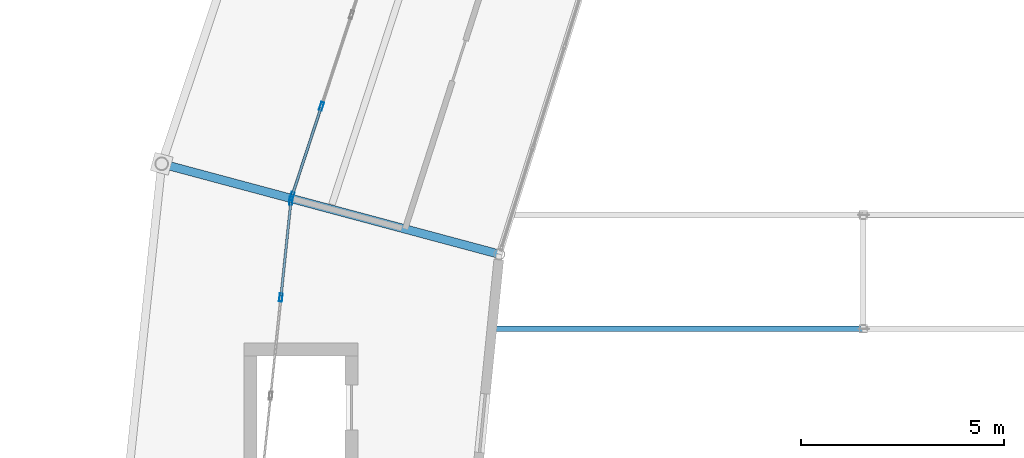
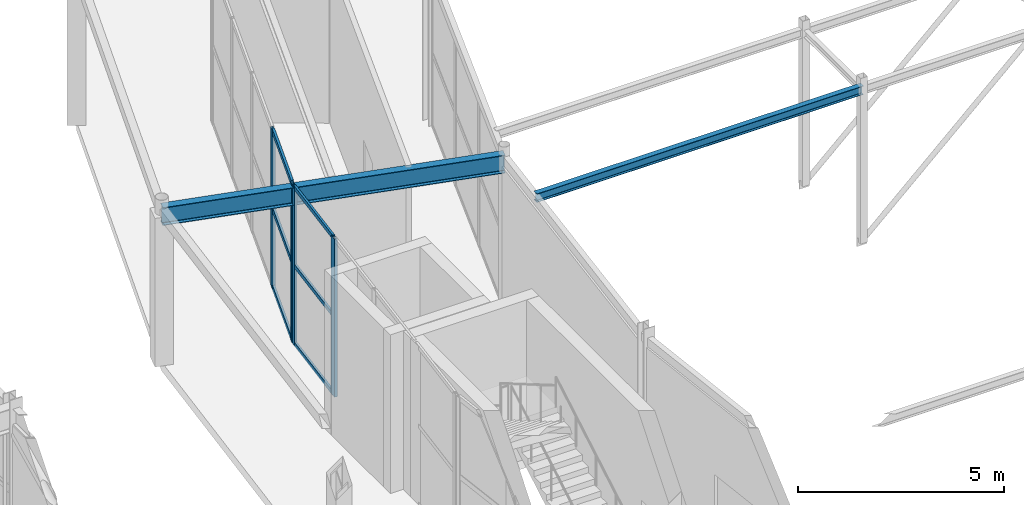
# One storey, part 46 of 144: 10 members, 2 beams, 2 elements without a shape of their own.
"""IFC4 building model written with IfcOpenShell, lengths in metres."""

from ifc_helpers import new_model, si_unit, direction, frame, origin, origin_2d, place, context, subcontext, project, spatial, hollow_rectangle, i_section, extrude, material, material_profile, profile_set, type_object, element, aggregate, save


model = new_model("IFC4")

# Units and contexts
model_context = context("Model", 3, precision=1e-05, world=origin(), true_north=direction((0.0, 1.0)))
body_context = subcontext(model_context, "Body", "Model", "MODEL_VIEW")
ifc_project = project(units=[si_unit("LENGTHUNIT", "METRE"), si_unit("AREAUNIT", "SQUARE_METRE"), si_unit("VOLUMEUNIT", "CUBIC_METRE"), si_unit("PLANEANGLEUNIT", "RADIAN"), si_unit("MASSUNIT", "GRAM", prefix="KILO")], contexts=[model_context])

# Site, building, storey
site_placement = place(None, origin())
site = spatial("IfcSite", under=ifc_project, at=site_placement, CompositionType="ELEMENT")
building_placement = place(site_placement, origin())
building = spatial("IfcBuilding", under=site, at=building_placement, Name="Karori Crest Natural Sciences Institute", CompositionType="ELEMENT")
storey_placement = place(building_placement, origin())
storey = spatial("IfcBuildingStorey", under=building, at=storey_placement, Name="L00", CompositionType="ELEMENT", Elevation=0.0)

# Beams
ifc_material_1 = material(Name="Structural steel AS/NZS 3679.1 Grade 350", Category="steel")
ifc_material_profile_1 = material_profile(ifc_material_1, i_section(OverallWidth=0.208984375, OverallDepth=0.532958984375, WebThickness=0.01025390625, FlangeThickness=0.015625, FilletRadius=0.013916015625, at=origin_2d()), Name="530UB92.4")
ifc_profile_set_1 = profile_set([ifc_material_profile_1], Name="Structural steel AS/NZS 3679.1 Grade 350")
beam_type_1 = type_object("IfcBeamType", Name="BT-05", PredefinedType="BEAM", material=ifc_profile_set_1)
beam_1_placement = place(storey_placement, frame((42.831298828125, 58.23388671875, 4.37353515625), z_axis=(-0.965925622404, 0.258819806009, 0.0), x_axis=(-0.258819806009, -0.965925622404, 0.0)))
element("IfcBeam", 1, at=beam_1_placement, inside=storey, type_object=beam_type_1, Name="Beam B-0135", PredefinedType="BEAM", context=body_context, shape_type="SweptSolid", body=[
    extrude(i_section(OverallWidth=0.208984375, OverallDepth=0.532958984375, WebThickness=0.01025390625, FlangeThickness=0.015625, FilletRadius=0.013916015625, at=origin_2d()), origin(), (0.0, 0.0, 1.0), 8.599853515625),
])
ifc_material_profile_2 = material_profile(ifc_material_1, i_section(OverallWidth=0.14599609375, OverallDepth=0.256103515625, WebThickness=0.00634765625, FlangeThickness=0.010986328125, FilletRadius=0.009033203125, at=origin_2d()), Name="250UB37.3")
ifc_profile_set_2 = profile_set([ifc_material_profile_2], Name="Structural steel AS/NZS 3679.1 Grade 350")
beam_type_2 = type_object("IfcBeamType", Name="BT-11", PredefinedType="BEAM", material=ifc_profile_set_2)
beam_2_placement = place(storey_placement, frame((42.6484375, 56.39990234375, 4.511962890625), z_axis=(1.0, 0.0, 0.0), x_axis=(0.0, 1.0, 0.0)))
element("IfcBeam", 2, at=beam_2_placement, inside=storey, type_object=beam_type_2, Name="Beam B-2913", PredefinedType="BEAM", context=body_context, shape_type="SweptSolid", body=[
    extrude(i_section(OverallWidth=0.14599609375, OverallDepth=0.256103515625, WebThickness=0.00634765625, FlangeThickness=0.010986328125, FilletRadius=0.009033203125, at=origin_2d()), origin(), (0.0, 0.0, 1.0), 9.1416015625),
])

# Curtain wall, members
ifc_material_2 = material(Name="Anodised architectural aluminium 6063-T6", Category="aluminium")
curtain_wall_type_1 = type_object("IfcCurtainWallType", Name="CWT-01", PredefinedType="NOTDEFINED", material=ifc_material_2)
curtain_wall_1_placement = place(storey_placement, origin())
curtain_wall_1 = element("IfcCurtainWall", 3, at=curtain_wall_1_placement, inside=storey, type_object=curtain_wall_type_1, Name="Curtain wall CW-0013", PredefinedType="NOTDEFINED")
ifc_material_profile_3 = material_profile(ifc_material_2, hollow_rectangle(XDim=0.074951171875, YDim=0.199951171875, WallThickness=0.0048828125, at=origin_2d()), Name="CWM200x75x5")
ifc_profile_set_3 = profile_set([ifc_material_profile_3], Name="Anodised architectural aluminium 6063-T6")
member_type_1 = type_object("IfcMemberType", Name="CWM-02", PredefinedType="MULLION", material=ifc_profile_set_3)
member_1_placement = place(storey_placement, frame((37.72998046875, 59.660400390625, 0.0), z_axis=(0.0, 0.0, 1.0), x_axis=(-0.950175969879, 0.311714013584, 0.0)))
member_1 = element("IfcMember", 4, at=member_1_placement, type_object=member_type_1, Name="CW-0013 mullion 1", PredefinedType="MULLION", context=body_context, shape_type="SweptSolid", body=[
    extrude(hollow_rectangle(XDim=0.074951171875, YDim=0.199951171875, WallThickness=0.0048828125, at=origin_2d()), origin(), (0.0, 0.0, 1.0), 4.679931640625),
])
member_2_placement = place(storey_placement, frame((38.456787109375, 61.876220703125, 0.0), z_axis=(0.0, 0.0, 1.0), x_axis=(-0.950175969879, 0.311714013584, 0.0)))
member_2 = element("IfcMember", 5, at=member_2_placement, type_object=member_type_1, Name="CW-0013 mullion 2", PredefinedType="MULLION", context=body_context, shape_type="SweptSolid", body=[
    extrude(hollow_rectangle(XDim=0.074951171875, YDim=0.199951171875, WallThickness=0.0048828125, at=origin_2d()), origin(), (0.0, 0.0, 1.0), 4.679931640625),
])

curtain_wall_type_2 = type_object("IfcCurtainWallType", Name="CWT-02", PredefinedType="NOTDEFINED", material=ifc_material_2)
curtain_wall_2_placement = place(storey_placement, origin())
curtain_wall_2 = element("IfcCurtainWall", 6, at=curtain_wall_2_placement, inside=storey, type_object=curtain_wall_type_2, Name="Curtain wall CW-0015", PredefinedType="NOTDEFINED")
member_3_placement = place(storey_placement, frame((37.4580078125, 57.16943359375, 0.0), z_axis=(0.0, 0.0, 1.0), x_axis=(-0.994608485589, 0.103701303727, 0.0)))
member_3 = element("IfcMember", 7, at=member_3_placement, type_object=member_type_1, Name="CW-0015 mullion 4", PredefinedType="MULLION", context=body_context, shape_type="SweptSolid", body=[
    extrude(hollow_rectangle(XDim=0.074951171875, YDim=0.199951171875, WallThickness=0.0048828125, at=origin_2d()), origin(), (0.0, 0.0, 1.0), 4.679931640625),
])
member_4_placement = place(storey_placement, frame((37.7060546875, 59.548583984375, 0.0), z_axis=(0.0, 0.0, 1.0), x_axis=(-0.994608485589, 0.103701303727, 0.0)))
member_4 = element("IfcMember", 8, at=member_4_placement, type_object=member_type_1, Name="CW-0015 mullion 5", PredefinedType="MULLION", context=body_context, shape_type="SweptSolid", body=[
    extrude(hollow_rectangle(XDim=0.074951171875, YDim=0.199951171875, WallThickness=0.0048828125, at=origin_2d()), origin(), (0.0, 0.0, 1.0), 4.679931640625),
])
ifc_material_profile_4 = material_profile(ifc_material_2, hollow_rectangle(XDim=0.06005859375, YDim=0.1201171875, WallThickness=0.00390625, at=origin_2d()), Name="CWT120x60x4")
ifc_profile_set_4 = profile_set([ifc_material_profile_4], Name="Anodised architectural aluminium 6063-T6")
member_type_2 = type_object("IfcMemberType", Name="CWT-TR1", PredefinedType="USERDEFINED", material=ifc_profile_set_4)
member_5_placement = place(storey_placement, frame((37.4619140625, 57.20654296875, 0.030029296875), z_axis=(0.103675570927, 0.994611168243, 0.0), x_axis=(-0.994611168243, 0.103675570927, 0.0)))
member_5 = element("IfcMember", 9, at=member_5_placement, type_object=member_type_2, Name="CW-0015 transom 4.1", ObjectType="TRANSOM", PredefinedType="USERDEFINED", context=body_context, shape_type="SweptSolid", body=[
    extrude(hollow_rectangle(XDim=0.06005859375, YDim=0.1201171875, WallThickness=0.00390625, at=origin_2d()), origin(), (0.0, 0.0, 1.0), 2.317138671875),
])
member_6_placement = place(storey_placement, frame((37.4619140625, 57.20654296875, 2.340087890625), z_axis=(0.103675570927, 0.994611168243, 0.0), x_axis=(-0.994611168243, 0.103675570927, 0.0)))
member_6 = element("IfcMember", 10, at=member_6_placement, type_object=member_type_2, Name="CW-0015 transom 4.2", ObjectType="TRANSOM", PredefinedType="USERDEFINED", context=body_context, shape_type="SweptSolid", body=[
    extrude(hollow_rectangle(XDim=0.06005859375, YDim=0.1201171875, WallThickness=0.00390625, at=origin_2d()), origin(), (0.0, 0.0, 1.0), 2.317138671875),
])
member_7_placement = place(storey_placement, frame((37.4619140625, 57.20654296875, 4.64990234375), z_axis=(0.103675570927, 0.994611168243, 0.0), x_axis=(-0.994611168243, 0.103675570927, 0.0)))
member_7 = element("IfcMember", 11, at=member_7_placement, type_object=member_type_2, Name="CW-0015 transom 4.3", ObjectType="TRANSOM", PredefinedType="USERDEFINED", context=body_context, shape_type="SweptSolid", body=[
    extrude(hollow_rectangle(XDim=0.06005859375, YDim=0.1201171875, WallThickness=0.00390625, at=origin_2d()), origin(), (0.0, 0.0, 1.0), 2.317138671875),
])
aggregate(curtain_wall_2, [member_3, member_4, member_5, member_6, member_7])

# Member
ifc_material_profile_5 = material_profile(ifc_material_2, hollow_rectangle(XDim=0.06494140625, YDim=0.14990234375, WallThickness=0.00390625, at=origin_2d()), Name="CWT150x65x4")
ifc_profile_set_5 = profile_set([ifc_material_profile_5], Name="Anodised architectural aluminium 6063-T6")
member_type_3 = type_object("IfcMemberType", Name="CWT-TR2", PredefinedType="USERDEFINED", material=ifc_profile_set_5)
member_8_placement = place(storey_placement, frame((37.74169921875, 59.696044921875, 0.032470703125), z_axis=(0.311648341446, 0.950197511718, 0.0), x_axis=(-0.950197511718, 0.311648341446, 0.0)))
member_8 = element("IfcMember", 12, at=member_8_placement, type_object=member_type_3, Name="CW-0013 transom 1.1", ObjectType="TRANSOM", PredefinedType="USERDEFINED", context=body_context, shape_type="SweptSolid", body=[
    extrude(hollow_rectangle(XDim=0.06494140625, YDim=0.14990234375, WallThickness=0.00390625, at=origin_2d()), origin(), (0.0, 0.0, 1.0), 2.2568359375),
])

member_9_placement = place(storey_placement, frame((37.74169921875, 59.696044921875, 2.340087890625), z_axis=(0.311648341446, 0.950197511718, 0.0), x_axis=(-0.950197511718, 0.311648341446, 0.0)))
member_9 = element("IfcMember", 13, at=member_9_placement, type_object=member_type_3, Name="CW-0013 transom 1.2", ObjectType="TRANSOM", PredefinedType="USERDEFINED", context=body_context, shape_type="SweptSolid", body=[
    extrude(hollow_rectangle(XDim=0.06494140625, YDim=0.14990234375, WallThickness=0.00390625, at=origin_2d()), origin(), (0.0, 0.0, 1.0), 2.2568359375),
])

member_10_placement = place(storey_placement, frame((37.74169921875, 59.696044921875, 4.6474609375), z_axis=(0.311648341446, 0.950197511718, 0.0), x_axis=(-0.950197511718, 0.311648341446, 0.0)))
member_10 = element("IfcMember", 14, at=member_10_placement, type_object=member_type_3, Name="CW-0013 transom 1.3", ObjectType="TRANSOM", PredefinedType="USERDEFINED", context=body_context, shape_type="SweptSolid", body=[
    extrude(hollow_rectangle(XDim=0.06494140625, YDim=0.14990234375, WallThickness=0.00390625, at=origin_2d()), origin(), (0.0, 0.0, 1.0), 2.2568359375),
])

aggregate(curtain_wall_1, [member_1, member_2, member_8, member_9, member_10])

save(model, "model.ifc")
